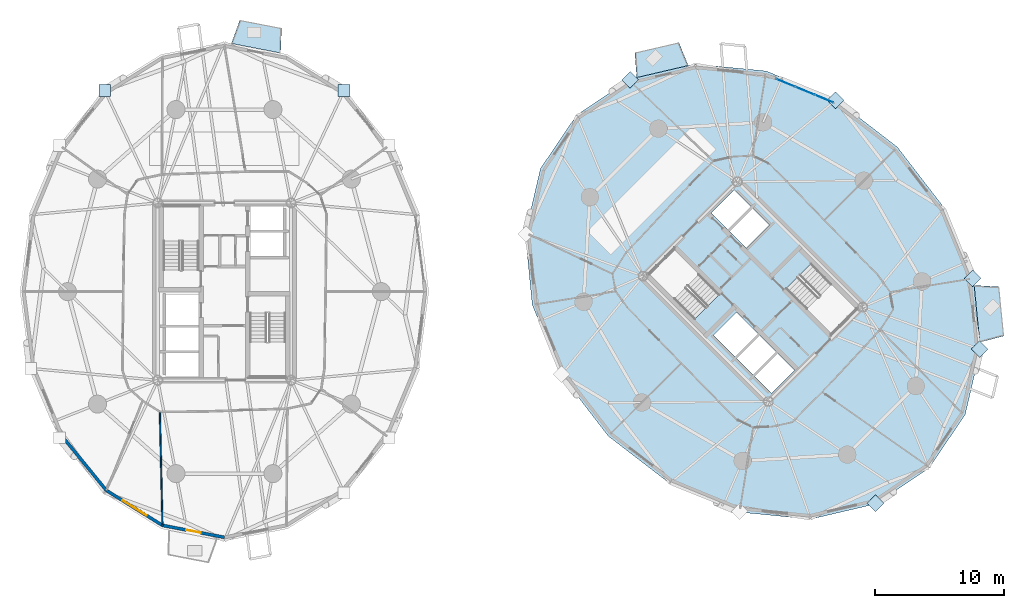
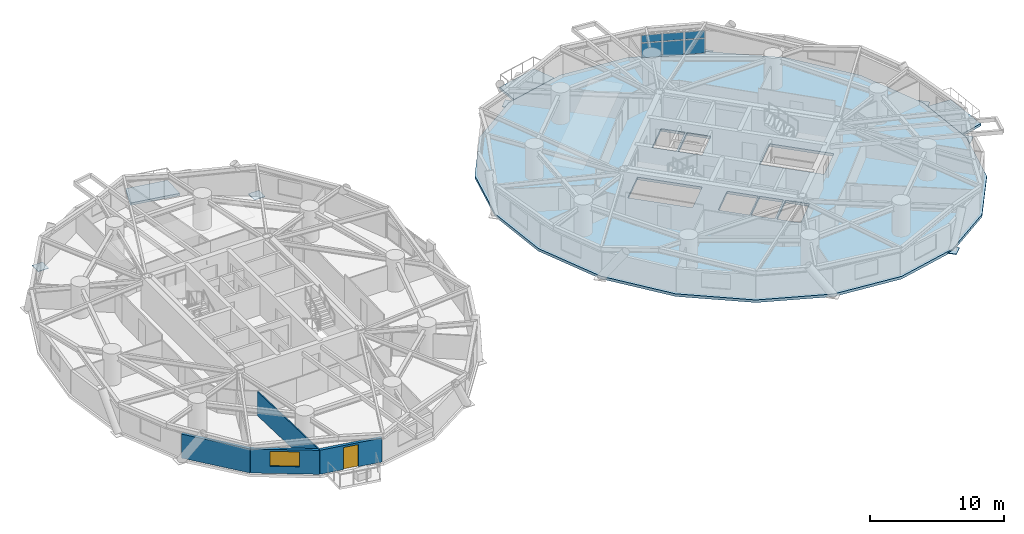
# One storey, part 9 of 18: 13 plates, 4 slabs, 4 walls, 1 door, 1 window, 2 openings, 1 element without a shape of its own.
"""IFC4 building model written with IfcOpenShell, lengths in metres."""

from ifc_helpers import new_model, si_unit, direction, frame, frame_2d, origin, origin_2d, place, context, subcontext, project, spatial, polyline, rectangle, outline, extrude, source, transform, mapped, material, layer, layer_set, type_object, element, fill, aggregate, save


model = new_model("IFC4")

# Units and contexts
model_context = context("Model", 3, precision=1e-05, world=origin(), true_north=direction((0.0, 1.0)))
body_context = subcontext(model_context, "Body", "Model", "MODEL_VIEW")
ifc_project = project(units=[si_unit("LENGTHUNIT", "METRE"), si_unit("AREAUNIT", "SQUARE_METRE"), si_unit("VOLUMEUNIT", "CUBIC_METRE"), si_unit("PLANEANGLEUNIT", "RADIAN"), si_unit("MASSUNIT", "GRAM", prefix="KILO")], contexts=[model_context])

# Site, building, storey
site_placement = place(None, origin())
site = spatial("IfcSite", under=ifc_project, at=site_placement, CompositionType="ELEMENT")
building_placement = place(site_placement, origin())
building = spatial("IfcBuilding", under=site, at=building_placement, Name="Cununo Teusaquillo Station Towers", CompositionType="ELEMENT")
storey_placement = place(building_placement, frame((0.0, 0.0, 102.159912109375)))
storey = spatial("IfcBuildingStorey", under=building, at=storey_placement, Name="L32", CompositionType="ELEMENT", Elevation=102.159912109375)

# Slabs
ifc_material_1 = material(Name="Concrete C50/60", Category="concrete")
ifc_layer_1 = layer(ifc_material_1, 0.2099609375)
ifc_layer_set_1 = layer_set([ifc_layer_1], Name="Concrete C50/60")
slab_type_1 = type_object("IfcSlabType", Name="SLB-BAL-210", PredefinedType="FLOOR", material=ifc_layer_set_1)
slab_1_placement = place(storey_placement, frame((0.0, 0.0, -0.2099609375)))
element("IfcSlab", 1, at=slab_1_placement, inside=storey, type_object=slab_type_1, Name="L32 Tower A Tree Balcony Slab 1", PredefinedType="FLOOR", context=body_context, shape_type="SweptSolid", body=[
    extrude(outline(polyline([(20.8623046875, 43.01220703125), (17.041015625, 43.75048828125), (17.69873046875, 45.573974609375), (20.930908203125, 44.94921875), (20.8623046875, 43.01220703125)])), origin(), (0.0, 0.0, 1.0), 0.2099609375),
])
slab_2_placement = place(storey_placement, frame((0.0, 0.0, -0.2099609375)))
element("IfcSlab", 2, at=slab_2_placement, inside=storey, type_object=slab_type_1, Name="L32 Tower B Tree Balcony Slab 1", PredefinedType="FLOOR", context=body_context, shape_type="SweptSolid", body=[
    extrude(outline(polyline([(52.486083984375, 42.04150390625), (48.4873046875, 41.1083984375), (48.344482421875, 43.04150390625), (51.7587890625, 43.83837890625), (52.486083984375, 42.04150390625)])), origin(), (0.0, 0.0, 1.0), 0.2099609375),
])
slab_3_placement = place(storey_placement, frame((0.0, 0.0, -0.2099609375)))
element("IfcSlab", 3, at=slab_3_placement, inside=storey, type_object=slab_type_1, Name="L32 Tower B Tree Balcony Slab 2", PredefinedType="FLOOR", context=body_context, shape_type="SweptSolid", body=[
    extrude(outline(polyline([(75.1123046875, 20.57080078125), (74.675048828125, 24.984375), (76.6103515625, 24.87451171875), (76.988525390625, 21.05810546875), (75.1123046875, 20.57080078125)])), origin(), (0.0, 0.0, 1.0), 0.2099609375),
])
ifc_material_2 = material(Name="Concrete C40/50", Category="concrete")
ifc_layer_2 = layer(ifc_material_2, 0.239990234375)
ifc_layer_set_2 = layer_set([ifc_layer_2], Name="Concrete C40/50")
slab_type_2 = type_object("IfcSlabType", Name="SLB-Z2-240", PredefinedType="FLOOR", material=ifc_layer_set_2)
slab_4_placement = place(storey_placement, frame((0.0, 0.0, -0.239990234375)))
element("IfcSlab", 4, at=slab_4_placement, inside=storey, type_object=slab_type_2, Name="L32 Tower B Floor Slab", PredefinedType="FLOOR", context=body_context, shape_type="SweptSolid", body=[
    extrude(outline(polyline([(68.71533203125, 35.71533203125), (63.938232421875, 39.39453125), (58.531005859375, 41.61572265625), (53.02294921875, 42.16162109375), (47.952880859375, 40.978515625), (43.8173828125, 38.1826171875), (41.021484375, 34.047119140625), (39.83837890625, 28.97705078125), (40.38427734375, 23.468994140625), (42.60546875, 18.061767578125), (46.28466796875, 13.28466796875), (51.061767578125, 9.60546875), (56.468994140625, 7.38427734375), (61.97705078125, 6.83837890625), (67.047119140625, 8.021484375), (71.1826171875, 10.8173828125), (73.978515625, 14.952880859375), (75.16162109375, 20.02294921875), (74.61572265625, 25.531005859375), (72.39453125, 30.938232421875), (68.71533203125, 35.71533203125)]), holes=[polyline([(54.914794921875, 24.28515625), (51.390625, 27.809326171875), (49.43896484375, 25.857666015625), (52.963134765625, 22.33349609375), (54.914794921875, 24.28515625)]), polyline([(60.085205078125, 24.71484375), (63.609375, 21.190673828125), (65.56103515625, 23.142333984375), (62.036865234375, 26.66650390625), (60.085205078125, 24.71484375)]), polyline([(56.156494140625, 19.40869140625), (57.945556640625, 21.19775390625), (56.248291015625, 22.89501953125), (54.45947265625, 21.10595703125), (56.156494140625, 19.40869140625)]), polyline([(58.94970703125, 16.61572265625), (60.738525390625, 18.40478515625), (59.430419921875, 19.712890625), (57.641357421875, 17.923828125), (58.94970703125, 16.61572265625)]), polyline([(57.535400390625, 18.030029296875), (59.32421875, 19.819091796875), (58.01611328125, 21.127197265625), (56.227294921875, 19.338134765625), (57.535400390625, 18.030029296875)]), polyline([(56.98388671875, 27.872802734375), (58.772705078125, 29.661865234375), (57.464599609375, 30.969970703125), (55.67578125, 29.180908203125), (56.98388671875, 27.872802734375)]), polyline([(55.569580078125, 29.287109375), (57.358642578125, 31.076171875), (56.05029296875, 32.38427734375), (54.261474609375, 30.59521484375), (55.569580078125, 29.287109375)])]), origin(), (0.0, 0.0, 1.0), 0.239990234375),
])

# Plates
ifc_material_3 = material(Name="Steel ASTM A572 Grade 50", Category="steel")
ifc_layer_3 = layer(ifc_material_3, 0.050048828125)
ifc_layer_set_3 = layer_set([ifc_layer_3], Name="Steel ASTM A572 Grade 50")
plate_type_1 = type_object("IfcPlateType", Name="PLT-NODE-DN1", PredefinedType="USERDEFINED", material=ifc_layer_set_3)
shared_shape_1 = source(origin(), body_context, "Body", "SweptSolid", [
    extrude(rectangle(XDim=0.919921875, YDim=0.919921875, at=origin_2d()), origin(), (0.0, 0.0, 1.0), 0.050048828125),
])
for number, where, z_axis, x_axis, name in (
    (5, (25.78759765625, 40.10595703125, -0.1650390625), (0.0, 0.0, 1.0), (1.0, 0.0, 0.0), "L32 Tower A Diagrid Node Assembly C03"),
    (6, (7.21240234375, 40.10595703125, -0.1650390625), (0.0, 0.0, 1.0), (1.0, 0.0, 0.0), "L32 Tower A Diagrid Node Assembly C06"),
    (7, (63.9111328125, 39.341064453125, -0.1650390625), (0.0, 0.0, 1.0), (0.707106781187, 0.707106781187, 0.0), "L32 Tower B Diagrid Node Assembly C00"),
    (8, (47.980224609375, 40.92529296875, -0.1650390625), (0.0, 0.0, 1.0), (0.707106781187, 0.707106781187, 0.0), "L32 Tower B Diagrid Node Assembly C04"),
    (9, (67.019775390625, 8.07470703125, -0.1650390625), (0.0, 0.0, 1.0), (0.707106781187, 0.707106781187, 0.0), "L32 Tower B Diagrid Node Assembly C14"),
    (10, (75.102294921875, 20.0322265625, -0.1650390625), (0.0, 0.0, 1.0), (0.707106781187, 0.707106781187, 0.0), "L32 Tower B Diagrid Node Assembly C16"),
    (11, (74.556640625, 25.521728515625, -0.1650390625), (0.0, 0.0, 1.0), (0.707106781187, 0.707106781187, 0.0), "L32 Tower B Diagrid Node Assembly C18"),
):
    element("IfcPlate", number, at=place(storey_placement, frame(where, z_axis=z_axis, x_axis=x_axis)), inside=storey, type_object=plate_type_1, Name=name, ObjectType="GUSSET PLATE", PredefinedType="USERDEFINED", context=body_context, shape_type="MappedRepresentation", body=[
        mapped(shared_shape_1, transform((0.0, 0.0, 0.0), x_axis=(1.0, 0.0, 0.0), y_axis=(0.0, 1.0, 0.0), z_axis=(0.0, 0.0, 1.0), scale=1.0)),
    ])

# Curtain wall, plates
ifc_material_4 = material(Name="Ceramic-fritted dark low-E double glazing", Category="glass")
ifc_layer_4 = layer(ifc_material_4, 0.179931640625)
ifc_layer_set_4 = layer_set([ifc_layer_4], Name="Ceramic-fritted dark low-E double glazing")
curtain_wall_type = type_object("IfcCurtainWallType", Name="CW-SYS-04", PredefinedType="USERDEFINED", material=ifc_layer_set_4)
curtain_wall_placement = place(storey_placement, origin())
curtain_wall = element("IfcCurtainWall", 12, at=curtain_wall_placement, inside=storey, type_object=curtain_wall_type, Name="L32 Tower B Facade Curtain Wall C01", ObjectType="FRITTED GLAZING", PredefinedType="USERDEFINED")
ifc_material_5 = material(Name="Ceramic-fritted dark low-E double glazing", Category="glass")
ifc_layer_5 = layer(ifc_material_5, 0.028076171875)
ifc_layer_set_5 = layer_set([ifc_layer_5], Name="Ceramic-fritted dark low-E double glazing")
plate_type_2 = type_object("IfcPlateType", Name="CWP-FRIT-28", PredefinedType="CURTAIN_PANEL", material=ifc_layer_set_5)
shared_shape_2 = source(origin(), body_context, "Body", "SweptSolid", [
    extrude(rectangle(XDim=1.531005859375, YDim=0.028076171875, at=origin_2d()), origin(), (0.0, 0.0, 1.0), 1.31103515625),
])
plate_1_placement = place(storey_placement, frame((60.045654296875, 40.697021484375, 0.070068359375), z_axis=(0.0, 0.0, 1.0), x_axis=(0.924562443652, -0.381030560176, 0.0)))
plate_1 = element("IfcPlate", 13, at=plate_1_placement, type_object=plate_type_2, Name="CW-04 panel 1.1", PredefinedType="CURTAIN_PANEL", context=body_context, shape_type="MappedRepresentation", body=[
    mapped(shared_shape_2, transform((0.0, 0.0, 0.0), x_axis=(1.0, 0.0, 0.0), y_axis=(0.0, 1.0, 0.0), z_axis=(0.0, 0.0, 1.0), scale=1.0)),
])
plate_2_placement = place(storey_placement, frame((63.03857421875, 39.463623046875, 0.070068359375), z_axis=(0.0, 0.0, 1.0), x_axis=(0.924562443652, -0.381030560176, 0.0)))
plate_2 = element("IfcPlate", 14, at=plate_2_placement, type_object=plate_type_2, Name="CW-04 panel 3.1", PredefinedType="CURTAIN_PANEL", context=body_context, shape_type="MappedRepresentation", body=[
    mapped(shared_shape_2, transform((0.0, 0.0, 0.0), x_axis=(1.0, 0.0, 0.0), y_axis=(0.0, 1.0, 0.0), z_axis=(0.0, 0.0, 1.0), scale=1.0)),
])
shared_shape_3 = source(origin(), body_context, "Body", "SweptSolid", [
    extrude(rectangle(XDim=1.531005859375, YDim=0.028076171875, at=origin_2d()), origin(), (0.0, 0.0, 1.0), 0.657958984375),
])
plate_3_placement = place(storey_placement, frame((60.045654296875, 40.697021484375, 1.451171875), z_axis=(0.0, 0.0, 1.0), x_axis=(0.924562443652, -0.381030560176, 0.0)))
plate_3 = element("IfcPlate", 15, at=plate_3_placement, type_object=plate_type_2, Name="CW-04 panel 1.2", PredefinedType="CURTAIN_PANEL", context=body_context, shape_type="MappedRepresentation", body=[
    mapped(shared_shape_3, transform((0.0, 0.0, 0.0), x_axis=(1.0, 0.0, 0.0), y_axis=(0.0, 1.0, 0.0), z_axis=(0.0, 0.0, 1.0), scale=1.0)),
])
plate_4_placement = place(storey_placement, frame((63.03857421875, 39.463623046875, 1.451171875), z_axis=(0.0, 0.0, 1.0), x_axis=(0.924562443652, -0.381030560176, 0.0)))
plate_4 = element("IfcPlate", 16, at=plate_4_placement, type_object=plate_type_2, Name="CW-04 panel 3.2", PredefinedType="CURTAIN_PANEL", context=body_context, shape_type="MappedRepresentation", body=[
    mapped(shared_shape_3, transform((0.0, 0.0, 0.0), x_axis=(1.0, 0.0, 0.0), y_axis=(0.0, 1.0, 0.0), z_axis=(0.0, 0.0, 1.0), scale=1.0)),
])
shared_shape_4 = source(origin(), body_context, "Body", "SweptSolid", [
    extrude(rectangle(XDim=1.566162109375, YDim=0.028076171875, at=origin_2d()), origin(), (0.0, 0.0, 1.0), 1.31103515625),
])
plate_5_placement = place(storey_placement, frame((61.542236328125, 40.080322265625, 0.070068359375), z_axis=(0.0, 0.0, 1.0), x_axis=(0.924562443652, -0.381030560176, 0.0)))
plate_5 = element("IfcPlate", 17, at=plate_5_placement, type_object=plate_type_2, Name="CW-04 panel 2.1", PredefinedType="CURTAIN_PANEL", context=body_context, shape_type="MappedRepresentation", body=[
    mapped(shared_shape_4, transform((0.0, 0.0, 0.0), x_axis=(1.0, 0.0, 0.0), y_axis=(0.0, 1.0, 0.0), z_axis=(0.0, 0.0, 1.0), scale=1.0)),
])
shared_shape_5 = source(origin(), body_context, "Body", "SweptSolid", [
    extrude(rectangle(XDim=1.566162109375, YDim=0.028076171875, at=origin_2d()), origin(), (0.0, 0.0, 1.0), 0.657958984375),
])
plate_6_placement = place(storey_placement, frame((61.542236328125, 40.080322265625, 1.451171875), z_axis=(0.0, 0.0, 1.0), x_axis=(0.924562443652, -0.381030560176, 0.0)))
plate_6 = element("IfcPlate", 18, at=plate_6_placement, type_object=plate_type_2, Name="CW-04 panel 2.2", PredefinedType="CURTAIN_PANEL", context=body_context, shape_type="MappedRepresentation", body=[
    mapped(shared_shape_5, transform((0.0, 0.0, 0.0), x_axis=(1.0, 0.0, 0.0), y_axis=(0.0, 1.0, 0.0), z_axis=(0.0, 0.0, 1.0), scale=1.0)),
])
aggregate(curtain_wall, [plate_1, plate_3, plate_5, plate_6, plate_2, plate_4])

# Wall
ifc_material_6 = material(Name="Precast concrete C40/50", Category="concrete")
ifc_layer_6 = layer(ifc_material_6, 0.239990234375)
ifc_layer_set_6 = layer_set([ifc_layer_6], Name="Precast concrete C40/50")
wall_type_1 = type_object("IfcWallType", Name="WL-EXT-240", PredefinedType="SOLIDWALL", material=ifc_layer_set_6)
wall_1_placement = place(storey_placement, frame((7.341796875, 9.072021484375, 0.0), z_axis=(0.0, 0.0, 1.0), x_axis=(-0.632700781152, 0.77439635945, 0.0)))
element("IfcWall", 19, at=wall_1_placement, inside=storey, type_object=wall_type_1, Name="L32 Tower A Exterior Facade Wall C12", PredefinedType="SOLIDWALL", context=body_context, shape_type="SweptSolid", body=[
    extrude(rectangle(XDim=5.447998046875, YDim=0.239990234375, at=frame_2d((2.72412109375, 0.0))), origin(), (0.0, 0.0, 1.0), 2.17919921875),
])

# Wall, opening, window
wall_2_placement = place(storey_placement, frame((11.685302734375, 6.36328125, 0.0), z_axis=(0.0, 0.0, 1.0), x_axis=(-0.848520380187, 0.529162701263, 0.0)))
wall_2 = element("IfcWall", 20, at=wall_2_placement, inside=storey, type_object=wall_type_1, Name="L32 Tower A Exterior Facade Wall C13", PredefinedType="SOLIDWALL", context=body_context, shape_type="SweptSolid", body=[
    extrude(rectangle(XDim=5.118896484375, YDim=0.239990234375, at=frame_2d((2.5595703125, 0.0))), origin(), (0.0, 0.0, 1.0), 2.17919921875),
])
shared_shape_6 = source(origin(), body_context, "Body", "SweptSolid", [
    extrude(rectangle(XDim=2.199951171875, YDim=1.35009765625, at=frame_2d((1.10009765625, 0.675048828125))), frame((0.0, 0.1298828125, 0.0), z_axis=(0.0, -1.0, 0.0), x_axis=(1.0, 0.0, 0.0)), (0.0, 0.0, 1.0), 0.260009765625),
])
opening_1_placement = place(wall_2_placement, frame((1.458984375, 0.0, 0.64990234375)))
opening_1 = element("IfcOpeningElement", 21, at=opening_1_placement, cuts=wall_2, Name="Opening WN-01", PredefinedType="OPENING", context=body_context, shape_type="MappedRepresentation", body=[
    mapped(shared_shape_6, transform((0.0, 0.0, 0.0), x_axis=(1.0, 0.0, 0.0), y_axis=(0.0, 1.0, 0.0), z_axis=(0.0, 0.0, 1.0), scale=1.0)),
])
ifc_material_7 = material(Name="Ceramic-fritted dark low-E double glazing", Category="glass")
window_type = type_object("IfcWindowType", Name="WIN-FRIT-2200", PartitioningType="DOUBLE_PANEL_VERTICAL", PredefinedType="WINDOW", material=ifc_material_7)
shared_shape_7 = source(origin(), body_context, "Body", "SweptSolid", [
    extrude(rectangle(XDim=2.199951171875, YDim=1.35009765625, at=frame_2d((1.10009765625, 0.675048828125))), frame((0.0, 0.030029296875, 0.0), z_axis=(0.0, -1.0, 0.0), x_axis=(1.0, 0.0, 0.0)), (0.0, 0.0, 1.0), 0.06005859375),
])
window_placement = place(opening_1_placement, origin())
window = element("IfcWindow", 22, at=window_placement, inside=storey, type_object=window_type, Name="L32 Tower A Facade Window C13", OverallHeight=1.35009765625, OverallWidth=2.199951171875, PartitioningType="DOUBLE_PANEL_VERTICAL", PredefinedType="WINDOW", context=body_context, shape_type="MappedRepresentation", body=[
    mapped(shared_shape_7, transform((0.0, 0.0, 0.0), x_axis=(1.0, 0.0, 0.0), y_axis=(0.0, 1.0, 0.0), z_axis=(0.0, 0.0, 1.0), scale=1.0)),
])
fill(opening_1, window)

# Wall, opening, door
wall_3_placement = place(storey_placement, frame((16.5, 5.429931640625, 0.0), z_axis=(0.0, 0.0, 1.0), x_axis=(-0.981723785992, 0.190311344954, 0.0)))
wall_3 = element("IfcWall", 23, at=wall_3_placement, inside=storey, type_object=wall_type_1, Name="L32 Tower A Exterior Facade Wall C14", PredefinedType="SOLIDWALL", context=body_context, shape_type="SweptSolid", body=[
    extrude(rectangle(XDim=4.904296875, YDim=0.239990234375, at=frame_2d((2.4521484375, 0.0))), origin(), (0.0, 0.0, 1.0), 2.17919921875),
])
shared_shape_8 = source(origin(), body_context, "Body", "SweptSolid", [
    extrude(rectangle(XDim=1.14990234375, YDim=2.0048828125, at=frame_2d((0.574951171875, 1.00244140625))), frame((0.0, 0.1298828125, 0.0), z_axis=(0.0, -1.0, 0.0), x_axis=(1.0, 0.0, 0.0)), (0.0, 0.0, 1.0), 0.260009765625),
])
opening_2_placement = place(wall_3_placement, frame((1.876953125, 0.0, 0.0)))
opening_2 = element("IfcOpeningElement", 24, at=opening_2_placement, cuts=wall_3, Name="Opening ED-03", PredefinedType="OPENING", context=body_context, shape_type="MappedRepresentation", body=[
    mapped(shared_shape_8, transform((0.0, 0.0, 0.0), x_axis=(1.0, 0.0, 0.0), y_axis=(0.0, 1.0, 0.0), z_axis=(0.0, 0.0, 1.0), scale=1.0)),
])
ifc_material_8 = material(Name="Anodised dark bronze aluminium EN AW-6063-T6", Category="aluminium")
door_type = type_object("IfcDoorType", Name="DR-EXT-BAL", OperationType="NOTDEFINED", PredefinedType="DOOR", material=ifc_material_8)
shared_shape_9 = source(origin(), body_context, "Body", "SweptSolid", [
    extrude(rectangle(XDim=1.14990234375, YDim=2.0048828125, at=frame_2d((0.574951171875, 1.00244140625))), frame((0.0, 0.02490234375, 0.0), z_axis=(0.0, -1.0, 0.0), x_axis=(1.0, 0.0, 0.0)), (0.0, 0.0, 1.0), 0.050048828125),
])
door_placement = place(opening_2_placement, origin())
door = element("IfcDoor", 25, at=door_placement, inside=storey, type_object=door_type, Name="L32 Tower A Tree Balcony Door C14", OperationType="SINGLE_SWING_LEFT", OverallHeight=2.0048828125, OverallWidth=1.14990234375, PredefinedType="DOOR", context=body_context, shape_type="MappedRepresentation", body=[
    mapped(shared_shape_9, transform((0.0, 0.0, 0.0), x_axis=(1.0, 0.0, 0.0), y_axis=(0.0, 1.0, 0.0), z_axis=(0.0, 0.0, 1.0), scale=1.0)),
])
fill(opening_2, door)

# Wall
ifc_material_9 = material(Name="Fire-rated gypsum plasterboard partition assembly", Category="gypsum")
ifc_layer_7 = layer(ifc_material_9, 0.10009765625)
ifc_layer_set_7 = layer_set([ifc_layer_7], Name="Fire-rated gypsum plasterboard partition assembly")
wall_type_2 = type_object("IfcWallType", Name="WL-PART-100", PredefinedType="MOVABLE", material=ifc_layer_set_7)
wall_4_placement = place(storey_placement, frame((11.490478515625, 15.177978515625, 0.0), z_axis=(0.0, 0.0, 1.0), x_axis=(0.022838019925, -0.999739178409, 0.0)))
element("IfcWall", 26, at=wall_4_placement, inside=storey, type_object=wall_type_2, Name="L32 Tower A Radial Suite Partition R06", PredefinedType="MOVABLE", context=body_context, shape_type="SweptSolid", body=[
    extrude(rectangle(XDim=8.7978515625, YDim=0.10009765625, at=frame_2d((4.39892578125, 0.0))), origin(), (0.0, 0.0, 1.0), 2.17919921875),
])

save(model, "model.ifc")
